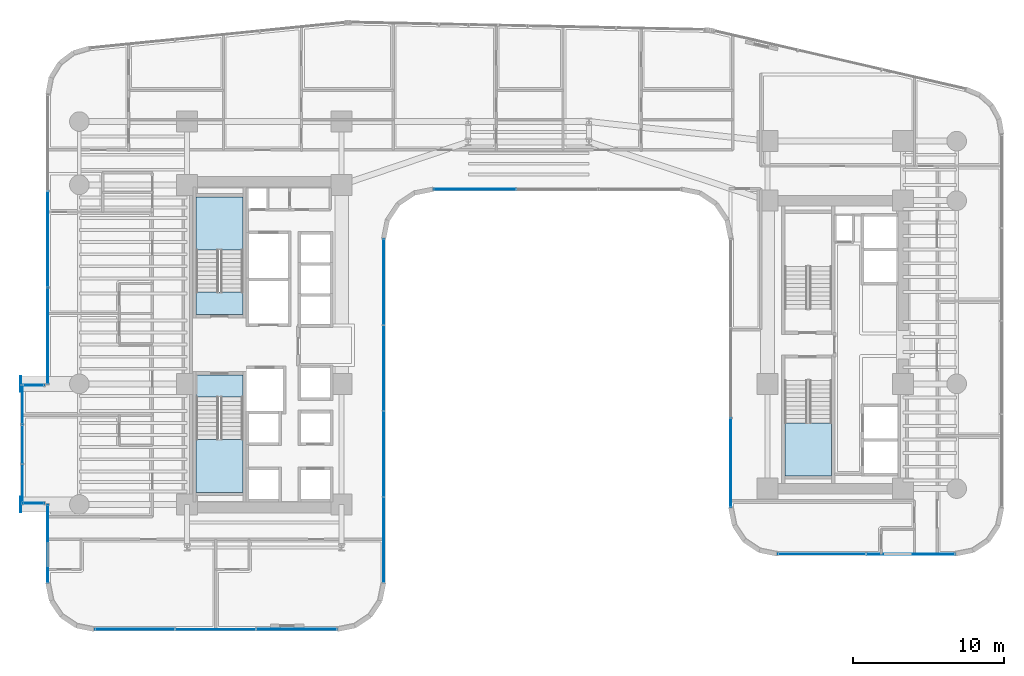
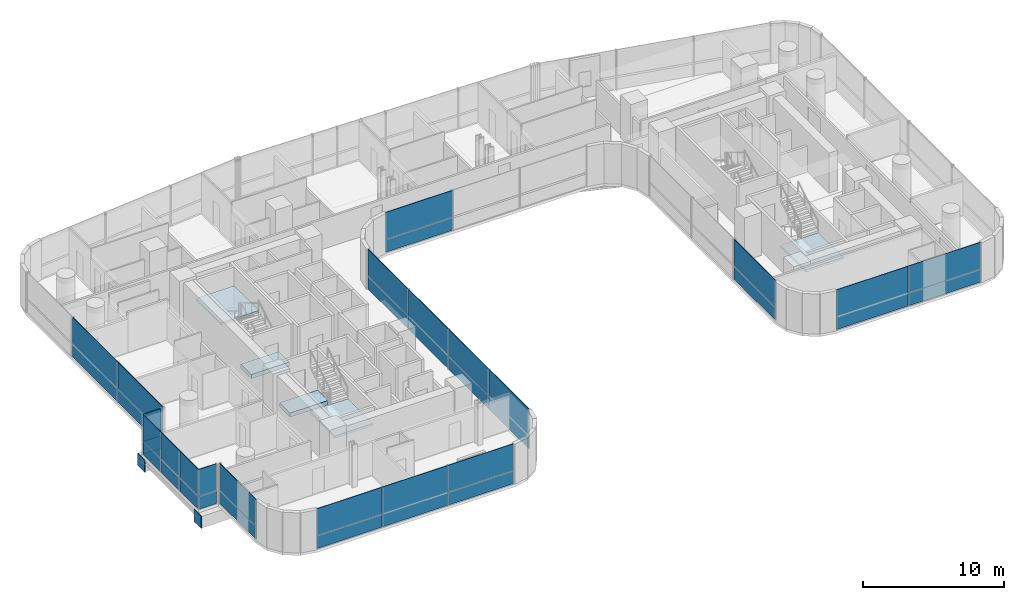
# One storey, part 28 of 41: 34 plates, 5 slabs, 13 elements without a shape of their own.
"""IFC4 building model written with IfcOpenShell, lengths in metres."""

from ifc_helpers import new_model, si_unit, direction, frame, origin, origin_2d, place, context, subcontext, project, spatial, polyline, rectangle, outline, extrude, source, transform, mapped, material, layer, layer_set, type_object, element, aggregate, save


model = new_model("IFC4")

# Units and contexts
model_context = context("Model", 3, precision=1e-05, world=origin(), true_north=direction((0.0, 1.0)))
body_context = subcontext(model_context, "Body", "Model", "MODEL_VIEW")
ifc_project = project(units=[si_unit("LENGTHUNIT", "METRE"), si_unit("AREAUNIT", "SQUARE_METRE"), si_unit("VOLUMEUNIT", "CUBIC_METRE"), si_unit("PLANEANGLEUNIT", "RADIAN"), si_unit("MASSUNIT", "GRAM", prefix="KILO")], contexts=[model_context])

# Site, building, storey
site_placement = place(None, origin())
site = spatial("IfcSite", under=ifc_project, at=site_placement, CompositionType="ELEMENT")
building_placement = place(site_placement, origin())
building = spatial("IfcBuilding", under=site, at=building_placement, Name="Valdorenza Pilgrim Sanctuary Tower", CompositionType="ELEMENT")
storey_placement = place(building_placement, frame((0.0, 0.0, 59.300048828125)))
storey = spatial("IfcBuildingStorey", under=building, at=storey_placement, Name="L14", CompositionType="ELEMENT", Elevation=59.300048828125)

# Stair, slab
ifc_material_1 = material(Name="Concrete C40/50", Category="concrete")
stair_type = type_object("IfcStairType", Name="STR-DOG-CORE", PredefinedType="HALF_TURN_STAIR", material=ifc_material_1)
stair_1_placement = place(storey_placement, origin())
stair_1 = element("IfcStair", 1, at=stair_1_placement, inside=storey, type_object=stair_type, Name="L14 ST-A1", PredefinedType="HALF_TURN_STAIR")
ifc_layer_1 = layer(ifc_material_1, 0.199951171875, Name="Concrete C40/50")
ifc_layer_set_1 = layer_set([ifc_layer_1], Name="Concrete C40/50")
slab_type_1 = type_object("IfcSlabType", Name="SLAB-STL-200", PredefinedType="LANDING", material=ifc_layer_set_1)
slab_1_placement = place(storey_placement, frame((0.0, 0.0, 1.64990234375)))
slab_1 = element("IfcSlab", 2, at=slab_1_placement, type_object=slab_type_1, Name="ST-A1 landing 1", PredefinedType="LANDING", context=body_context, shape_type="SweptSolid", body=[
    extrude(outline(polyline([(-18.93994140625, 6.280029296875), (-18.93994140625, 9.800048828125), (-22.050048828125, 9.800048828125), (-22.050048828125, 6.280029296875), (-18.93994140625, 6.280029296875)])), origin(), (0.0, 0.0, 1.0), 0.199951171875),
])
aggregate(stair_1, [slab_1])

stair_2_placement = place(storey_placement, origin())
stair_2 = element("IfcStair", 3, at=stair_2_placement, inside=storey, type_object=stair_type, Name="L14 ST-A2", PredefinedType="HALF_TURN_STAIR")
slab_2_placement = place(storey_placement, frame((0.0, 0.0, 1.64990234375)))
slab_2 = element("IfcSlab", 4, at=slab_2_placement, type_object=slab_type_1, Name="ST-A2 landing 1", PredefinedType="LANDING", context=body_context, shape_type="SweptSolid", body=[
    extrude(outline(polyline([(-22.050048828125, -6.280029296875), (-22.050048828125, -9.800048828125), (-18.93994140625, -9.800048828125), (-18.93994140625, -6.280029296875), (-22.050048828125, -6.280029296875)])), origin(), (0.0, 0.0, 1.0), 0.199951171875),
])
aggregate(stair_2, [slab_2])

stair_3_placement = place(storey_placement, origin())
stair_3 = element("IfcStair", 5, at=stair_3_placement, inside=storey, type_object=stair_type, Name="L14 ST-B2", PredefinedType="HALF_TURN_STAIR")
slab_3_placement = place(storey_placement, frame((0.0, 0.0, 1.64990234375)))
slab_3 = element("IfcSlab", 6, at=slab_3_placement, type_object=slab_type_1, Name="ST-B2 landing 1", PredefinedType="LANDING", context=body_context, shape_type="SweptSolid", body=[
    extrude(outline(polyline([(17.0, -5.179931640625), (17.0, -8.699951171875), (20.110107421875, -8.699951171875), (20.110107421875, -5.179931640625), (17.0, -5.179931640625)])), origin(), (0.0, 0.0, 1.0), 0.199951171875),
])
aggregate(stair_3, [slab_3])

# Slabs
ifc_material_2 = material(Name="Concrete C50/60", Category="concrete")
ifc_layer_2 = layer(ifc_material_2, 0.39990234375, Name="Concrete C50/60")
ifc_layer_set_2 = layer_set([ifc_layer_2], Name="Concrete C50/60")
slab_type_2 = type_object("IfcSlabType", Name="SLAB-TRF-400", PredefinedType="FLOOR", material=ifc_layer_set_2)
slab_4_placement = place(storey_placement, frame((0.0, 0.0, -0.360107421875)))
element("IfcSlab", 7, at=slab_4_placement, inside=storey, type_object=slab_type_2, Name="L14 ST-A1 Structural Stair Landing Bearing Slab", PredefinedType="FLOOR", context=body_context, shape_type="SweptSolid", body=[
    extrude(outline(polyline([(-22.050048828125, 2.0), (-18.93994140625, 2.0), (-18.93994140625, 3.485107421875), (-22.050048828125, 3.485107421875), (-22.050048828125, 2.0)])), origin(), (0.0, 0.0, 1.0), 0.360107421875),
])
slab_5_placement = place(storey_placement, frame((0.0, 0.0, -0.360107421875)))
element("IfcSlab", 8, at=slab_5_placement, inside=storey, type_object=slab_type_2, Name="L14 ST-A2 Structural Stair Landing Bearing Slab", PredefinedType="FLOOR", context=body_context, shape_type="SweptSolid", body=[
    extrude(outline(polyline([(-22.050048828125, -3.485107421875), (-18.93994140625, -3.485107421875), (-18.93994140625, -2.0), (-22.050048828125, -2.0), (-22.050048828125, -3.485107421875)])), origin(), (0.0, 0.0, 1.0), 0.360107421875),
])

# Plates
ifc_material_3 = material(Name="Steel ASTM A572 Grade 42", Category="steel")
ifc_layer_3 = layer(ifc_material_3, 0.06005859375, Name="Steel ASTM A572 Grade 42")
ifc_layer_set_3 = layer_set([ifc_layer_3], Name="Steel ASTM A572 Grade 42")
plate_type_1 = type_object("IfcPlateType", Name="PLT-CAP-60", PredefinedType="SHEET", material=ifc_layer_set_3)
shared_shape_1 = source(origin(), body_context, "Body", "SweptSolid", [
    extrude(rectangle(XDim=0.06005859375, YDim=1.0400390625, at=origin_2d()), origin(), (0.0, 0.0, 1.0), 1.0400390625),
])
for number, where, z_axis, x_axis, name in (
    (9, (-33.679931640625, -2.60009765625, -1.260009765625), (0.0, 0.0, 1.0), (1.0, 0.0, 0.0), "L14 BOX-WA-L14 Cantilever Tip End Cap N"),
    (10, (-33.679931640625, -10.60009765625, -1.260009765625), (0.0, 0.0, 1.0), (1.0, 0.0, 0.0), "L14 BOX-WA-L14 Cantilever Tip End Cap S"),
):
    element("IfcPlate", number, at=place(storey_placement, frame(where, z_axis=z_axis, x_axis=x_axis)), inside=storey, type_object=plate_type_1, Name=name, PredefinedType="SHEET", context=body_context, shape_type="MappedRepresentation", body=[
        mapped(shared_shape_1, transform((0.0, 0.0, 0.0), x_axis=(1.0, 0.0, 0.0), y_axis=(0.0, 1.0, 0.0), z_axis=(0.0, 0.0, 1.0), scale=1.0)),
    ])

# Curtain wall, plates
ifc_material_4 = material(Name="Curtain-wall IGU glazing", Category="glass")
curtain_wall_type_1 = type_object("IfcCurtainWallType", Name="CW-SYS-02", PredefinedType="NOTDEFINED", material=ifc_material_4)
curtain_wall_1_placement = place(storey_placement, origin())
curtain_wall_1 = element("IfcCurtainWall", 11, at=curtain_wall_1_placement, inside=storey, type_object=curtain_wall_type_1, Name="L14 Curtain Wall CW-L14-1-1S1", PredefinedType="NOTDEFINED")
ifc_material_5 = material(Name="Honed travertine limestone", Category="masonry")
ifc_layer_4 = layer(ifc_material_5, 0.050048828125, Name="Honed travertine limestone")
ifc_layer_set_4 = layer_set([ifc_layer_4], Name="Honed travertine limestone")
plate_type_2 = type_object("IfcPlateType", Name="CW-SPN-TRV", PredefinedType="USERDEFINED", material=ifc_layer_set_4)
shared_shape_2 = source(origin(), body_context, "Body", "SweptSolid", [
    extrude(rectangle(XDim=5.169189453125, YDim=0.06005859375, at=origin_2d()), origin(), (0.0, 0.0, 1.0), 1.10009765625),
])
plate_1_placement = place(storey_placement, frame((-31.889892578125, -13.194580078125, 0.010009765625), z_axis=(0.0, 0.0, 1.0), x_axis=(0.0, 1.0, 0.0)))
plate_1 = element("IfcPlate", 12, at=plate_1_placement, type_object=plate_type_2, Name="CW-L14-1-1S1 Travertine Spandrel 1", ObjectType="SPANDREL", PredefinedType="USERDEFINED", context=body_context, shape_type="MappedRepresentation", body=[
    mapped(shared_shape_2, transform((0.0, 0.0, 0.0), x_axis=(1.0, 0.0, 0.0), y_axis=(0.0, 1.0, 0.0), z_axis=(0.0, 0.0, 1.0), scale=1.0)),
])
ifc_material_6 = material(Name="Ceramic-fritted low-E IGU glazing", Category="glass")
ifc_layer_5 = layer(ifc_material_6, 0.035888671875, Name="Ceramic-fritted low-E IGU glazing")
ifc_layer_set_5 = layer_set([ifc_layer_5], Name="Ceramic-fritted low-E IGU glazing")
plate_type_3 = type_object("IfcPlateType", Name="CW-GLZ-IGU", PredefinedType="USERDEFINED", material=ifc_layer_set_5)
shared_shape_3 = source(origin(), body_context, "Body", "SweptSolid", [
    extrude(rectangle(XDim=5.169189453125, YDim=0.050048828125, at=origin_2d()), origin(), (0.0, 0.0, 1.0), 2.320068359375),
])
plate_2_placement = place(storey_placement, frame((-31.889892578125, -13.194580078125, 1.1298828125), z_axis=(0.0, 0.0, 1.0), x_axis=(0.0, 1.0, 0.0)))
plate_2 = element("IfcPlate", 13, at=plate_2_placement, type_object=plate_type_3, Name="CW-L14-1-1S1 Facade Panel 1", ObjectType="GLAZING", PredefinedType="USERDEFINED", context=body_context, shape_type="MappedRepresentation", body=[
    mapped(shared_shape_3, transform((0.0, 0.0, 0.0), x_axis=(1.0, 0.0, 0.0), y_axis=(0.0, 1.0, 0.0), z_axis=(0.0, 0.0, 1.0), scale=1.0)),
])
aggregate(curtain_wall_1, [plate_1, plate_2])

curtain_wall_2_placement = place(storey_placement, origin())
curtain_wall_2 = element("IfcCurtainWall", 14, at=curtain_wall_2_placement, inside=storey, type_object=curtain_wall_type_1, Name="L14 Curtain Wall CW-L14-1-1S2", PredefinedType="NOTDEFINED")
shared_shape_4 = source(origin(), body_context, "Body", "SweptSolid", [
    extrude(rectangle(XDim=6.3779296875, YDim=0.06005859375, at=origin_2d()), origin(), (0.0, 0.0, 1.0), 1.10009765625),
])
plate_3_placement = place(storey_placement, frame((-31.889892578125, 0.59912109375, 0.010009765625), z_axis=(0.0, 0.0, 1.0), x_axis=(0.0, 1.0, 0.0)))
plate_3 = element("IfcPlate", 15, at=plate_3_placement, type_object=plate_type_2, Name="CW-L14-1-1S2 Travertine Spandrel 1", ObjectType="SPANDREL", PredefinedType="USERDEFINED", context=body_context, shape_type="MappedRepresentation", body=[
    mapped(shared_shape_4, transform((0.0, 0.0, 0.0), x_axis=(1.0, 0.0, 0.0), y_axis=(0.0, 1.0, 0.0), z_axis=(0.0, 0.0, 1.0), scale=1.0)),
])
shared_shape_5 = source(origin(), body_context, "Body", "SweptSolid", [
    extrude(rectangle(XDim=6.3779296875, YDim=0.050048828125, at=origin_2d()), origin(), (0.0, 0.0, 1.0), 2.320068359375),
])
plate_4_placement = place(storey_placement, frame((-31.889892578125, 0.59912109375, 1.1298828125), z_axis=(0.0, 0.0, 1.0), x_axis=(0.0, 1.0, 0.0)))
plate_4 = element("IfcPlate", 16, at=plate_4_placement, type_object=plate_type_3, Name="CW-L14-1-1S2 Facade Panel 1", ObjectType="GLAZING", PredefinedType="USERDEFINED", context=body_context, shape_type="MappedRepresentation", body=[
    mapped(shared_shape_5, transform((0.0, 0.0, 0.0), x_axis=(1.0, 0.0, 0.0), y_axis=(0.0, 1.0, 0.0), z_axis=(0.0, 0.0, 1.0), scale=1.0)),
])
shared_shape_6 = source(origin(), body_context, "Body", "SweptSolid", [
    extrude(rectangle(XDim=6.3779296875, YDim=0.050048828125, at=origin_2d()), origin(), (0.0, 0.0, 1.0), 3.43994140625),
])
plate_5_placement = place(storey_placement, frame((-31.889892578125, 6.9970703125, 0.010009765625), z_axis=(0.0, 0.0, 1.0), x_axis=(0.0, 1.0, 0.0)))
plate_5 = element("IfcPlate", 17, at=plate_5_placement, type_object=plate_type_3, Name="CW-L14-1-1S2 Full-Height Facade Panel 2", ObjectType="GLAZING", PredefinedType="USERDEFINED", context=body_context, shape_type="MappedRepresentation", body=[
    mapped(shared_shape_6, transform((0.0, 0.0, 0.0), x_axis=(1.0, 0.0, 0.0), y_axis=(0.0, 1.0, 0.0), z_axis=(0.0, 0.0, 1.0), scale=1.0)),
])
aggregate(curtain_wall_2, [plate_3, plate_4, plate_5])

curtain_wall_type_2 = type_object("IfcCurtainWallType", Name="CW-SYS-03", PredefinedType="NOTDEFINED", material=ifc_material_4)
curtain_wall_3_placement = place(storey_placement, origin())
curtain_wall_3 = element("IfcCurtainWall", 18, at=curtain_wall_3_placement, inside=storey, type_object=curtain_wall_type_2, Name="L14 Curtain Wall CW-L14-1-26", PredefinedType="NOTDEFINED")
shared_shape_7 = source(origin(), body_context, "Body", "SweptSolid", [
    extrude(rectangle(XDim=5.869140625, YDim=0.06005859375, at=origin_2d()), origin(), (0.0, 0.0, 1.0), 1.10009765625),
])
plate_6_placement = place(storey_placement, frame((25.344482421875, -13.889892578125, 0.010009765625), z_axis=(0.0, 0.0, 1.0), x_axis=(-1.0, 0.0, 0.0)))
plate_6 = element("IfcPlate", 19, at=plate_6_placement, type_object=plate_type_2, Name="CW-L14-1-26 Travertine Spandrel 1", ObjectType="SPANDREL", PredefinedType="USERDEFINED", context=body_context, shape_type="MappedRepresentation", body=[
    mapped(shared_shape_7, transform((0.0, 0.0, 0.0), x_axis=(1.0, 0.0, 0.0), y_axis=(0.0, 1.0, 0.0), z_axis=(0.0, 0.0, 1.0), scale=1.0)),
])
shared_shape_8 = source(origin(), body_context, "Body", "SweptSolid", [
    extrude(rectangle(XDim=5.869140625, YDim=0.050048828125, at=origin_2d()), origin(), (0.0, 0.0, 1.0), 2.320068359375),
])
plate_7_placement = place(storey_placement, frame((25.344482421875, -13.889892578125, 1.1298828125), z_axis=(0.0, 0.0, 1.0), x_axis=(-1.0, 0.0, 0.0)))
plate_7 = element("IfcPlate", 20, at=plate_7_placement, type_object=plate_type_3, Name="CW-L14-1-26 Facade Panel 1", ObjectType="GLAZING", PredefinedType="USERDEFINED", context=body_context, shape_type="MappedRepresentation", body=[
    mapped(shared_shape_8, transform((0.0, 0.0, 0.0), x_axis=(1.0, 0.0, 0.0), y_axis=(0.0, 1.0, 0.0), z_axis=(0.0, 0.0, 1.0), scale=1.0)),
])
shared_shape_9 = source(origin(), body_context, "Body", "SweptSolid", [
    extrude(rectangle(XDim=5.869140625, YDim=0.050048828125, at=origin_2d()), origin(), (0.0, 0.0, 1.0), 3.43994140625),
])
plate_8_placement = place(storey_placement, frame((19.455322265625, -13.889892578125, 0.010009765625), z_axis=(0.0, 0.0, 1.0), x_axis=(-1.0, 0.0, 0.0)))
plate_8 = element("IfcPlate", 21, at=plate_8_placement, type_object=plate_type_3, Name="CW-L14-1-26 Full-Height Facade Panel 2", ObjectType="GLAZING", PredefinedType="USERDEFINED", context=body_context, shape_type="MappedRepresentation", body=[
    mapped(shared_shape_9, transform((0.0, 0.0, 0.0), x_axis=(1.0, 0.0, 0.0), y_axis=(0.0, 1.0, 0.0), z_axis=(0.0, 0.0, 1.0), scale=1.0)),
])
aggregate(curtain_wall_3, [plate_6, plate_7, plate_8])

curtain_wall_4_placement = place(storey_placement, origin())
curtain_wall_4 = element("IfcCurtainWall", 22, at=curtain_wall_4_placement, inside=storey, type_object=curtain_wall_type_2, Name="L14 Curtain Wall CW-L14-1-31", PredefinedType="NOTDEFINED")
shared_shape_10 = source(origin(), body_context, "Body", "SweptSolid", [
    extrude(rectangle(XDim=5.913330078125, YDim=0.06005859375, at=origin_2d()), origin(), (0.0, 0.0, 1.0), 1.10009765625),
])
plate_9_placement = place(storey_placement, frame((13.409912109375, -7.822509765625, 0.010009765625), z_axis=(0.0, 0.0, 1.0), x_axis=(0.0, 1.0, 0.0)))
plate_9 = element("IfcPlate", 23, at=plate_9_placement, type_object=plate_type_2, Name="CW-L14-1-31 Travertine Spandrel 1", ObjectType="SPANDREL", PredefinedType="USERDEFINED", context=body_context, shape_type="MappedRepresentation", body=[
    mapped(shared_shape_10, transform((0.0, 0.0, 0.0), x_axis=(1.0, 0.0, 0.0), y_axis=(0.0, 1.0, 0.0), z_axis=(0.0, 0.0, 1.0), scale=1.0)),
])
shared_shape_11 = source(origin(), body_context, "Body", "SweptSolid", [
    extrude(rectangle(XDim=5.913330078125, YDim=0.050048828125, at=origin_2d()), origin(), (0.0, 0.0, 1.0), 2.320068359375),
])
plate_10_placement = place(storey_placement, frame((13.409912109375, -7.822509765625, 1.1298828125), z_axis=(0.0, 0.0, 1.0), x_axis=(0.0, 1.0, 0.0)))
plate_10 = element("IfcPlate", 24, at=plate_10_placement, type_object=plate_type_3, Name="CW-L14-1-31 Facade Panel 1", ObjectType="GLAZING", PredefinedType="USERDEFINED", context=body_context, shape_type="MappedRepresentation", body=[
    mapped(shared_shape_11, transform((0.0, 0.0, 0.0), x_axis=(1.0, 0.0, 0.0), y_axis=(0.0, 1.0, 0.0), z_axis=(0.0, 0.0, 1.0), scale=1.0)),
])
aggregate(curtain_wall_4, [plate_9, plate_10])

curtain_wall_5_placement = place(storey_placement, origin())
curtain_wall_5 = element("IfcCurtainWall", 25, at=curtain_wall_5_placement, inside=storey, type_object=curtain_wall_type_1, Name="L14 Curtain Wall CW-L14-1-36", PredefinedType="NOTDEFINED")
shared_shape_12 = source(origin(), body_context, "Body", "SweptSolid", [
    extrude(rectangle(XDim=5.453857421875, YDim=0.06005859375, at=origin_2d()), origin(), (0.0, 0.0, 1.0), 1.10009765625),
])
plate_11_placement = place(storey_placement, frame((-3.573974609375, 10.31005859375, 0.010009765625), z_axis=(0.0, 0.0, 1.0), x_axis=(-1.0, 0.0, 0.0)))
plate_11 = element("IfcPlate", 26, at=plate_11_placement, type_object=plate_type_2, Name="CW-L14-1-36 Travertine Spandrel 3", ObjectType="SPANDREL", PredefinedType="USERDEFINED", context=body_context, shape_type="MappedRepresentation", body=[
    mapped(shared_shape_12, transform((0.0, 0.0, 0.0), x_axis=(1.0, 0.0, 0.0), y_axis=(0.0, 1.0, 0.0), z_axis=(0.0, 0.0, 1.0), scale=1.0)),
])
shared_shape_13 = source(origin(), body_context, "Body", "SweptSolid", [
    extrude(rectangle(XDim=5.453857421875, YDim=0.050048828125, at=origin_2d()), origin(), (0.0, 0.0, 1.0), 2.320068359375),
])
plate_12_placement = place(storey_placement, frame((-3.573974609375, 10.31005859375, 1.1298828125), z_axis=(0.0, 0.0, 1.0), x_axis=(-1.0, 0.0, 0.0)))
plate_12 = element("IfcPlate", 27, at=plate_12_placement, type_object=plate_type_3, Name="CW-L14-1-36 Facade Panel 3", ObjectType="GLAZING", PredefinedType="USERDEFINED", context=body_context, shape_type="MappedRepresentation", body=[
    mapped(shared_shape_13, transform((0.0, 0.0, 0.0), x_axis=(1.0, 0.0, 0.0), y_axis=(0.0, 1.0, 0.0), z_axis=(0.0, 0.0, 1.0), scale=1.0)),
])
aggregate(curtain_wall_5, [plate_11, plate_12])

curtain_wall_6_placement = place(storey_placement, origin())
curtain_wall_6 = element("IfcCurtainWall", 28, at=curtain_wall_6_placement, inside=storey, type_object=curtain_wall_type_1, Name="L14 Curtain Wall CW-L14-1-41", PredefinedType="NOTDEFINED")
shared_shape_14 = source(origin(), body_context, "Body", "SweptSolid", [
    extrude(rectangle(XDim=5.679931640625, YDim=0.06005859375, at=origin_2d()), origin(), (0.0, 0.0, 1.0), 1.10009765625),
])
plate_13_placement = place(storey_placement, frame((-9.610107421875, 4.160888671875, 0.010009765625), z_axis=(0.0, 0.0, 1.0), x_axis=(0.0, -1.0, 0.0)))
plate_13 = element("IfcPlate", 29, at=plate_13_placement, type_object=plate_type_2, Name="CW-L14-1-41 Travertine Spandrel 1", ObjectType="SPANDREL", PredefinedType="USERDEFINED", context=body_context, shape_type="MappedRepresentation", body=[
    mapped(shared_shape_14, transform((0.0, 0.0, 0.0), x_axis=(1.0, 0.0, 0.0), y_axis=(0.0, 1.0, 0.0), z_axis=(0.0, 0.0, 1.0), scale=1.0)),
])
plate_14_placement = place(storey_placement, frame((-9.610107421875, -7.2392578125, 0.010009765625), z_axis=(0.0, 0.0, 1.0), x_axis=(0.0, -1.0, 0.0)))
plate_14 = element("IfcPlate", 30, at=plate_14_placement, type_object=plate_type_2, Name="CW-L14-1-41 Travertine Spandrel 3", ObjectType="SPANDREL", PredefinedType="USERDEFINED", context=body_context, shape_type="MappedRepresentation", body=[
    mapped(shared_shape_14, transform((0.0, 0.0, 0.0), x_axis=(1.0, 0.0, 0.0), y_axis=(0.0, 1.0, 0.0), z_axis=(0.0, 0.0, 1.0), scale=1.0)),
])
shared_shape_15 = source(origin(), body_context, "Body", "SweptSolid", [
    extrude(rectangle(XDim=5.679931640625, YDim=0.050048828125, at=origin_2d()), origin(), (0.0, 0.0, 1.0), 2.320068359375),
])
plate_15_placement = place(storey_placement, frame((-9.610107421875, 4.160888671875, 1.1298828125), z_axis=(0.0, 0.0, 1.0), x_axis=(0.0, -1.0, 0.0)))
plate_15 = element("IfcPlate", 31, at=plate_15_placement, type_object=plate_type_3, Name="CW-L14-1-41 Facade Panel 1", ObjectType="GLAZING", PredefinedType="USERDEFINED", context=body_context, shape_type="MappedRepresentation", body=[
    mapped(shared_shape_15, transform((0.0, 0.0, 0.0), x_axis=(1.0, 0.0, 0.0), y_axis=(0.0, 1.0, 0.0), z_axis=(0.0, 0.0, 1.0), scale=1.0)),
])
plate_16_placement = place(storey_placement, frame((-9.610107421875, -7.2392578125, 1.1298828125), z_axis=(0.0, 0.0, 1.0), x_axis=(0.0, -1.0, 0.0)))
plate_16 = element("IfcPlate", 32, at=plate_16_placement, type_object=plate_type_3, Name="CW-L14-1-41 Facade Panel 3", ObjectType="GLAZING", PredefinedType="USERDEFINED", context=body_context, shape_type="MappedRepresentation", body=[
    mapped(shared_shape_15, transform((0.0, 0.0, 0.0), x_axis=(1.0, 0.0, 0.0), y_axis=(0.0, 1.0, 0.0), z_axis=(0.0, 0.0, 1.0), scale=1.0)),
])
shared_shape_16 = source(origin(), body_context, "Body", "SweptSolid", [
    extrude(rectangle(XDim=5.679931640625, YDim=0.050048828125, at=origin_2d()), origin(), (0.0, 0.0, 1.0), 3.43994140625),
])
plate_17_placement = place(storey_placement, frame((-9.610107421875, -1.539306640625, 0.010009765625), z_axis=(0.0, 0.0, 1.0), x_axis=(0.0, -1.0, 0.0)))
plate_17 = element("IfcPlate", 33, at=plate_17_placement, type_object=plate_type_3, Name="CW-L14-1-41 Full-Height Facade Panel 2", ObjectType="GLAZING", PredefinedType="USERDEFINED", context=body_context, shape_type="MappedRepresentation", body=[
    mapped(shared_shape_16, transform((0.0, 0.0, 0.0), x_axis=(1.0, 0.0, 0.0), y_axis=(0.0, 1.0, 0.0), z_axis=(0.0, 0.0, 1.0), scale=1.0)),
])
plate_18_placement = place(storey_placement, frame((-9.610107421875, -12.939208984375, 0.010009765625), z_axis=(0.0, 0.0, 1.0), x_axis=(0.0, -1.0, 0.0)))
plate_18 = element("IfcPlate", 34, at=plate_18_placement, type_object=plate_type_3, Name="CW-L14-1-41 Full-Height Facade Panel 4", ObjectType="GLAZING", PredefinedType="USERDEFINED", context=body_context, shape_type="MappedRepresentation", body=[
    mapped(shared_shape_16, transform((0.0, 0.0, 0.0), x_axis=(1.0, 0.0, 0.0), y_axis=(0.0, 1.0, 0.0), z_axis=(0.0, 0.0, 1.0), scale=1.0)),
])
aggregate(curtain_wall_6, [plate_13, plate_15, plate_17, plate_14, plate_16, plate_18])

curtain_wall_7_placement = place(storey_placement, origin())
curtain_wall_7 = element("IfcCurtainWall", 35, at=curtain_wall_7_placement, inside=storey, type_object=curtain_wall_type_1, Name="L14 Curtain Wall CW-L14-1-46", PredefinedType="NOTDEFINED")
shared_shape_17 = source(origin(), body_context, "Body", "SweptSolid", [
    extrude(rectangle(XDim=5.339599609375, YDim=0.06005859375, at=origin_2d()), origin(), (0.0, 0.0, 1.0), 1.10009765625),
])
plate_19_placement = place(storey_placement, frame((-15.390380859375, -18.889892578125, 0.010009765625), z_axis=(0.0, 0.0, 1.0), x_axis=(-1.0, 0.0, 0.0)))
plate_19 = element("IfcPlate", 36, at=plate_19_placement, type_object=plate_type_2, Name="CW-L14-1-46 Travertine Spandrel 1", ObjectType="SPANDREL", PredefinedType="USERDEFINED", context=body_context, shape_type="MappedRepresentation", body=[
    mapped(shared_shape_17, transform((0.0, 0.0, 0.0), x_axis=(1.0, 0.0, 0.0), y_axis=(0.0, 1.0, 0.0), z_axis=(0.0, 0.0, 1.0), scale=1.0)),
])
plate_20_placement = place(storey_placement, frame((-26.109619140625, -18.889892578125, 0.010009765625), z_axis=(0.0, 0.0, 1.0), x_axis=(-1.0, 0.0, 0.0)))
plate_20 = element("IfcPlate", 37, at=plate_20_placement, type_object=plate_type_2, Name="CW-L14-1-46 Travertine Spandrel 3", ObjectType="SPANDREL", PredefinedType="USERDEFINED", context=body_context, shape_type="MappedRepresentation", body=[
    mapped(shared_shape_17, transform((0.0, 0.0, 0.0), x_axis=(1.0, 0.0, 0.0), y_axis=(0.0, 1.0, 0.0), z_axis=(0.0, 0.0, 1.0), scale=1.0)),
])
shared_shape_18 = source(origin(), body_context, "Body", "SweptSolid", [
    extrude(rectangle(XDim=5.339599609375, YDim=0.050048828125, at=origin_2d()), origin(), (0.0, 0.0, 1.0), 2.320068359375),
])
plate_21_placement = place(storey_placement, frame((-15.390380859375, -18.889892578125, 1.1298828125), z_axis=(0.0, 0.0, 1.0), x_axis=(-1.0, 0.0, 0.0)))
plate_21 = element("IfcPlate", 38, at=plate_21_placement, type_object=plate_type_3, Name="CW-L14-1-46 Facade Panel 1", ObjectType="GLAZING", PredefinedType="USERDEFINED", context=body_context, shape_type="MappedRepresentation", body=[
    mapped(shared_shape_18, transform((0.0, 0.0, 0.0), x_axis=(1.0, 0.0, 0.0), y_axis=(0.0, 1.0, 0.0), z_axis=(0.0, 0.0, 1.0), scale=1.0)),
])
plate_22_placement = place(storey_placement, frame((-26.109619140625, -18.889892578125, 1.1298828125), z_axis=(0.0, 0.0, 1.0), x_axis=(-1.0, 0.0, 0.0)))
plate_22 = element("IfcPlate", 39, at=plate_22_placement, type_object=plate_type_3, Name="CW-L14-1-46 Facade Panel 3", ObjectType="GLAZING", PredefinedType="USERDEFINED", context=body_context, shape_type="MappedRepresentation", body=[
    mapped(shared_shape_18, transform((0.0, 0.0, 0.0), x_axis=(1.0, 0.0, 0.0), y_axis=(0.0, 1.0, 0.0), z_axis=(0.0, 0.0, 1.0), scale=1.0)),
])
shared_shape_19 = source(origin(), body_context, "Body", "SweptSolid", [
    extrude(rectangle(XDim=5.339599609375, YDim=0.050048828125, at=origin_2d()), origin(), (0.0, 0.0, 1.0), 3.43994140625),
])
plate_23_placement = place(storey_placement, frame((-20.75, -18.889892578125, 0.010009765625), z_axis=(0.0, 0.0, 1.0), x_axis=(-1.0, 0.0, 0.0)))
plate_23 = element("IfcPlate", 40, at=plate_23_placement, type_object=plate_type_3, Name="CW-L14-1-46 Full-Height Facade Panel 2", ObjectType="GLAZING", PredefinedType="USERDEFINED", context=body_context, shape_type="MappedRepresentation", body=[
    mapped(shared_shape_19, transform((0.0, 0.0, 0.0), x_axis=(1.0, 0.0, 0.0), y_axis=(0.0, 1.0, 0.0), z_axis=(0.0, 0.0, 1.0), scale=1.0)),
])
aggregate(curtain_wall_7, [plate_19, plate_21, plate_23, plate_20, plate_22])

# Curtain wall, plate
curtain_wall_8_placement = place(storey_placement, origin())
curtain_wall_8 = element("IfcCurtainWall", 41, at=curtain_wall_8_placement, inside=storey, type_object=curtain_wall_type_1, Name="L14 Curtain Wall CW-L14-BOX-WA-L14-S", PredefinedType="NOTDEFINED")
shared_shape_20 = source(origin(), body_context, "Body", "SweptSolid", [
    extrude(rectangle(XDim=1.43994140625, YDim=0.06005859375, at=origin_2d()), origin(), (0.0, 0.0, 1.0), 1.10009765625),
])
plate_24_placement = place(storey_placement, frame((-32.840087890625, -10.52001953125, 0.010009765625), z_axis=(0.0, 0.0, 1.0), x_axis=(-1.0, 0.0, 0.0)))
plate_24 = element("IfcPlate", 42, at=plate_24_placement, type_object=plate_type_2, Name="CW-L14-BOX-WA-L14-S Travertine Spandrel 1", ObjectType="SPANDREL", PredefinedType="USERDEFINED", context=body_context, shape_type="MappedRepresentation", body=[
    mapped(shared_shape_20, transform((0.0, 0.0, 0.0), x_axis=(1.0, 0.0, 0.0), y_axis=(0.0, 1.0, 0.0), z_axis=(0.0, 0.0, 1.0), scale=1.0)),
])

curtain_wall_9_placement = place(storey_placement, origin())
curtain_wall_9 = element("IfcCurtainWall", 43, at=curtain_wall_9_placement, inside=storey, type_object=curtain_wall_type_1, Name="L14 Curtain Wall CW-L14-BOX-WA-L14-N", PredefinedType="NOTDEFINED")
plate_25_placement = place(storey_placement, frame((-32.840087890625, -2.679931640625, 0.010009765625), z_axis=(0.0, 0.0, 1.0), x_axis=(1.0, 0.0, 0.0)))
plate_25 = element("IfcPlate", 44, at=plate_25_placement, type_object=plate_type_2, Name="CW-L14-BOX-WA-L14-N Travertine Spandrel 1", ObjectType="SPANDREL", PredefinedType="USERDEFINED", context=body_context, shape_type="MappedRepresentation", body=[
    mapped(shared_shape_20, transform((0.0, 0.0, 0.0), x_axis=(1.0, 0.0, 0.0), y_axis=(0.0, 1.0, 0.0), z_axis=(0.0, 0.0, 1.0), scale=1.0)),
])

# Plate
shared_shape_21 = source(origin(), body_context, "Body", "SweptSolid", [
    extrude(rectangle(XDim=1.43994140625, YDim=0.050048828125, at=origin_2d()), origin(), (0.0, 0.0, 1.0), 2.320068359375),
])
plate_26_placement = place(storey_placement, frame((-32.840087890625, -10.52001953125, 1.1298828125), z_axis=(0.0, 0.0, 1.0), x_axis=(-1.0, 0.0, 0.0)))
plate_26 = element("IfcPlate", 45, at=plate_26_placement, type_object=plate_type_3, Name="CW-L14-BOX-WA-L14-S Facade Panel 1", ObjectType="GLAZING", PredefinedType="USERDEFINED", context=body_context, shape_type="MappedRepresentation", body=[
    mapped(shared_shape_21, transform((0.0, 0.0, 0.0), x_axis=(1.0, 0.0, 0.0), y_axis=(0.0, 1.0, 0.0), z_axis=(0.0, 0.0, 1.0), scale=1.0)),
])

aggregate(curtain_wall_8, [plate_24, plate_26])

plate_27_placement = place(storey_placement, frame((-32.840087890625, -2.679931640625, 1.1298828125), z_axis=(0.0, 0.0, 1.0), x_axis=(1.0, 0.0, 0.0)))
plate_27 = element("IfcPlate", 46, at=plate_27_placement, type_object=plate_type_3, Name="CW-L14-BOX-WA-L14-N Facade Panel 1", ObjectType="GLAZING", PredefinedType="USERDEFINED", context=body_context, shape_type="MappedRepresentation", body=[
    mapped(shared_shape_21, transform((0.0, 0.0, 0.0), x_axis=(1.0, 0.0, 0.0), y_axis=(0.0, 1.0, 0.0), z_axis=(0.0, 0.0, 1.0), scale=1.0)),
])

aggregate(curtain_wall_9, [plate_25, plate_27])

# Curtain wall, plates
curtain_wall_10_placement = place(storey_placement, origin())
curtain_wall_10 = element("IfcCurtainWall", 47, at=curtain_wall_10_placement, inside=storey, type_object=curtain_wall_type_1, Name="L14 Curtain Wall CW-L14-BOX-WA-L14-F", PredefinedType="NOTDEFINED")
shared_shape_22 = source(origin(), body_context, "Body", "SweptSolid", [
    extrude(rectangle(XDim=2.59326171875, YDim=0.06005859375, at=origin_2d()), origin(), (0.0, 0.0, 1.0), 1.10009765625),
])
plate_28_placement = place(storey_placement, frame((-33.570068359375, -9.21337890625, 0.010009765625), z_axis=(0.0, 0.0, 1.0), x_axis=(0.0, 1.0, 0.0)))
plate_28 = element("IfcPlate", 48, at=plate_28_placement, type_object=plate_type_2, Name="CW-L14-BOX-WA-L14-F Travertine Spandrel 1", ObjectType="SPANDREL", PredefinedType="USERDEFINED", context=body_context, shape_type="MappedRepresentation", body=[
    mapped(shared_shape_22, transform((0.0, 0.0, 0.0), x_axis=(1.0, 0.0, 0.0), y_axis=(0.0, 1.0, 0.0), z_axis=(0.0, 0.0, 1.0), scale=1.0)),
])
plate_29_placement = place(storey_placement, frame((-33.570068359375, -3.98681640625, 0.010009765625), z_axis=(0.0, 0.0, 1.0), x_axis=(0.0, 1.0, 0.0)))
plate_29 = element("IfcPlate", 49, at=plate_29_placement, type_object=plate_type_2, Name="CW-L14-BOX-WA-L14-F Travertine Spandrel 3", ObjectType="SPANDREL", PredefinedType="USERDEFINED", context=body_context, shape_type="MappedRepresentation", body=[
    mapped(shared_shape_22, transform((0.0, 0.0, 0.0), x_axis=(1.0, 0.0, 0.0), y_axis=(0.0, 1.0, 0.0), z_axis=(0.0, 0.0, 1.0), scale=1.0)),
])
shared_shape_23 = source(origin(), body_context, "Body", "SweptSolid", [
    extrude(rectangle(XDim=2.59326171875, YDim=0.050048828125, at=origin_2d()), origin(), (0.0, 0.0, 1.0), 2.320068359375),
])
plate_30_placement = place(storey_placement, frame((-33.570068359375, -9.21337890625, 1.1298828125), z_axis=(0.0, 0.0, 1.0), x_axis=(0.0, 1.0, 0.0)))
plate_30 = element("IfcPlate", 50, at=plate_30_placement, type_object=plate_type_3, Name="CW-L14-BOX-WA-L14-F Facade Panel 1", ObjectType="GLAZING", PredefinedType="USERDEFINED", context=body_context, shape_type="MappedRepresentation", body=[
    mapped(shared_shape_23, transform((0.0, 0.0, 0.0), x_axis=(1.0, 0.0, 0.0), y_axis=(0.0, 1.0, 0.0), z_axis=(0.0, 0.0, 1.0), scale=1.0)),
])
plate_31_placement = place(storey_placement, frame((-33.570068359375, -3.98681640625, 1.1298828125), z_axis=(0.0, 0.0, 1.0), x_axis=(0.0, 1.0, 0.0)))
plate_31 = element("IfcPlate", 51, at=plate_31_placement, type_object=plate_type_3, Name="CW-L14-BOX-WA-L14-F Facade Panel 3", ObjectType="GLAZING", PredefinedType="USERDEFINED", context=body_context, shape_type="MappedRepresentation", body=[
    mapped(shared_shape_23, transform((0.0, 0.0, 0.0), x_axis=(1.0, 0.0, 0.0), y_axis=(0.0, 1.0, 0.0), z_axis=(0.0, 0.0, 1.0), scale=1.0)),
])
shared_shape_24 = source(origin(), body_context, "Body", "SweptSolid", [
    extrude(rectangle(XDim=2.59326171875, YDim=0.050048828125, at=origin_2d()), origin(), (0.0, 0.0, 1.0), 3.43994140625),
])
plate_32_placement = place(storey_placement, frame((-33.570068359375, -6.60009765625, 0.010009765625), z_axis=(0.0, 0.0, 1.0), x_axis=(0.0, 1.0, 0.0)))
plate_32 = element("IfcPlate", 52, at=plate_32_placement, type_object=plate_type_3, Name="CW-L14-BOX-WA-L14-F Full-Height Facade Panel 2", ObjectType="GLAZING", PredefinedType="USERDEFINED", context=body_context, shape_type="MappedRepresentation", body=[
    mapped(shared_shape_24, transform((0.0, 0.0, 0.0), x_axis=(1.0, 0.0, 0.0), y_axis=(0.0, 1.0, 0.0), z_axis=(0.0, 0.0, 1.0), scale=1.0)),
])
aggregate(curtain_wall_10, [plate_28, plate_30, plate_32, plate_29, plate_31])

save(model, "model.ifc")
